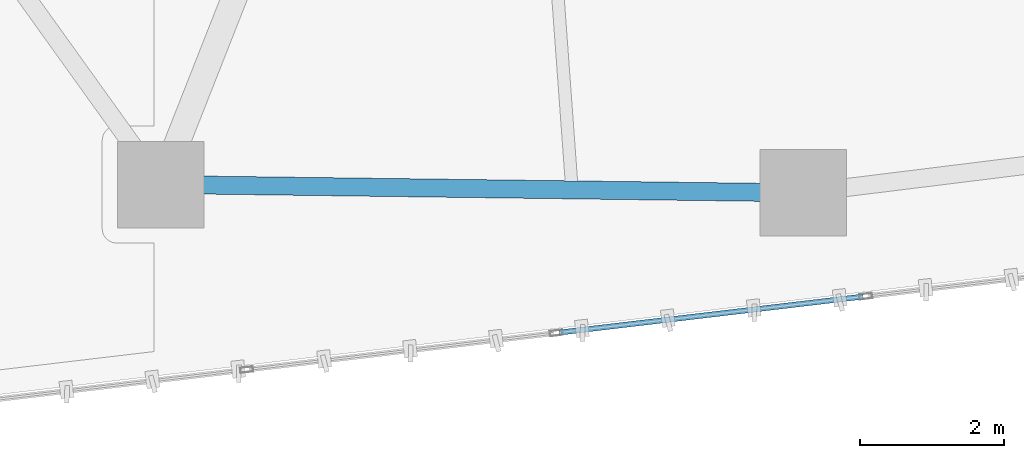
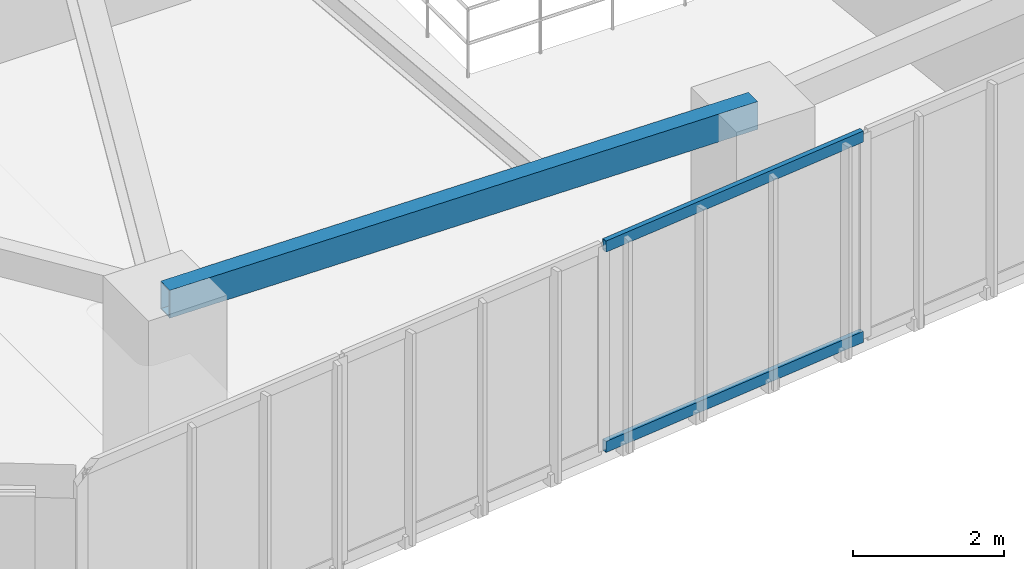
# One storey, part 3 of 24: 2 members, 1 beam, 1 element without a shape of its own.
"""IFC4 building model written with IfcOpenShell, lengths in metres."""

from ifc_helpers import new_model, si_unit, direction, frame, origin, origin_2d, place, context, subcontext, project, spatial, hollow_rectangle, extrude, source, transform, mapped, material, layer, layer_set, material_profile, profile_set, type_object, type_shapes, element, aggregate, save


model = new_model("IFC4")

# Units and contexts
model_context = context("Model", 3, precision=1e-05, world=origin(), true_north=direction((0.0, 1.0)))
body_context = subcontext(model_context, "Body", "Model", "MODEL_VIEW")
ifc_project = project(units=[si_unit("LENGTHUNIT", "METRE"), si_unit("AREAUNIT", "SQUARE_METRE"), si_unit("VOLUMEUNIT", "CUBIC_METRE"), si_unit("PLANEANGLEUNIT", "RADIAN"), si_unit("MASSUNIT", "GRAM", prefix="KILO")], contexts=[model_context])

# Site, building, storey
site_placement = place(None, origin())
site = spatial("IfcSite", under=ifc_project, at=site_placement, CompositionType="ELEMENT")
building_placement = place(site_placement, origin())
building = spatial("IfcBuilding", under=site, at=building_placement, Name="Talar Marvaseh", CompositionType="ELEMENT")
storey_placement = place(building_placement, frame((0.0, 0.0, 111.0)))
storey = spatial("IfcBuildingStorey", under=building, at=storey_placement, Name="L28", CompositionType="ELEMENT", Elevation=111.0)

# Beam
ifc_material_1 = material(Name="Steel S355", Category="steel")
ifc_material_profile_1 = material_profile(ifc_material_1, hollow_rectangle(XDim=0.25, YDim=0.449951171875, WallThickness=0.01611328125, at=origin_2d()), Name="RHS450x250x16")
ifc_profile_set_1 = profile_set([ifc_material_profile_1], Name="Steel S355")
beam_type = type_object("IfcBeamType", Name="Zone 2 Perimeter Spandrel Beam RHS450x250x16", PredefinedType="SPANDREL", material=ifc_profile_set_1)
beam_placement = place(storey_placement, frame((22.804931640625, 13.18310546875, 3.0849609375), z_axis=(-0.999915383581, 0.013008677034, 0.0), x_axis=(-0.013008677034, -0.999915383581, 0.0)))
element("IfcBeam", 1, at=beam_placement, inside=storey, type_object=beam_type, Name="L28 Zone 2 Perimeter Spandrel Beam RHS450x250x16", PredefinedType="SPANDREL", context=body_context, shape_type="SweptSolid", body=[
    extrude(hollow_rectangle(XDim=0.25, YDim=0.449951171875, WallThickness=0.01611328125, at=origin_2d()), origin(), (0.0, 0.0, 1.0), 8.91455078125),
])

# Curtain wall, members
ifc_material_2 = material(Name="Architectural Aluminium", Category="aluminium")
ifc_layer = layer(ifc_material_2, 0.199951171875)
ifc_layer_set = layer_set([ifc_layer], Name="Architectural Aluminium")
curtain_wall_type = type_object("IfcCurtainWallType", Name="Unitised Acoustic Library Curtain Wall Z2", PredefinedType="NOTDEFINED", material=ifc_layer_set)
curtain_wall_placement = place(storey_placement, origin())
curtain_wall = element("IfcCurtainWall", 2, at=curtain_wall_placement, inside=storey, type_object=curtain_wall_type, Name="L28 Unitised Acoustic Library Curtain Wall Z2", PredefinedType="NOTDEFINED")
ifc_material_profile_2 = material_profile(ifc_material_2, hollow_rectangle(XDim=0.074951171875, YDim=0.179931640625, WallThickness=0.0048828125, at=origin_2d()), Name="RHS180x75x5")
ifc_profile_set_2 = profile_set([ifc_material_profile_2], Name="Architectural Aluminium")
member_type = type_object("IfcMemberType", Name="Unitised Curtain Wall Transom RHS180x75x5", PredefinedType="USERDEFINED", material=ifc_profile_set_2)
shared_shape = source(origin(), body_context, "Body", "SweptSolid", [
    extrude(hollow_rectangle(XDim=0.074951171875, YDim=0.179931640625, WallThickness=0.0048828125, at=origin_2d()), origin(), (0.0, 0.0, 1.0), 4.24853515625),
])
type_shapes(member_type, [shared_shape])
member_1_placement = place(storey_placement, frame((23.63330078125, 11.745361328125, 0.03759765625), z_axis=(-0.99305061131, -0.117688076614, 0.0), x_axis=(0.117688076614, -0.99305061131, 0.0)))
member_1 = element("IfcMember", 3, at=member_1_placement, type_object=member_type, Name="CW-Z2 transom 3.1", ObjectType="TRANSOM", PredefinedType="USERDEFINED", context=body_context, shape_type="MappedRepresentation", body=[
    mapped(shared_shape, transform((0.0, 0.0, 0.0), x_axis=(1.0, 0.0, 0.0), y_axis=(0.0, 1.0, 0.0), z_axis=(0.0, 0.0, 1.0), scale=1.0)),
])
member_2_placement = place(storey_placement, frame((23.63330078125, 11.745361328125, 3.2724609375), z_axis=(-0.99305061131, -0.117688076614, 0.0), x_axis=(0.117688076614, -0.99305061131, 0.0)))
member_2 = element("IfcMember", 4, at=member_2_placement, type_object=member_type, Name="CW-Z2 transom 3.2", ObjectType="TRANSOM", PredefinedType="USERDEFINED", context=body_context, shape_type="MappedRepresentation", body=[
    mapped(shared_shape, transform((0.0, 0.0, 0.0), x_axis=(1.0, 0.0, 0.0), y_axis=(0.0, 1.0, 0.0), z_axis=(0.0, 0.0, 1.0), scale=1.0)),
])
aggregate(curtain_wall, [member_1, member_2])

save(model, "model.ifc")
